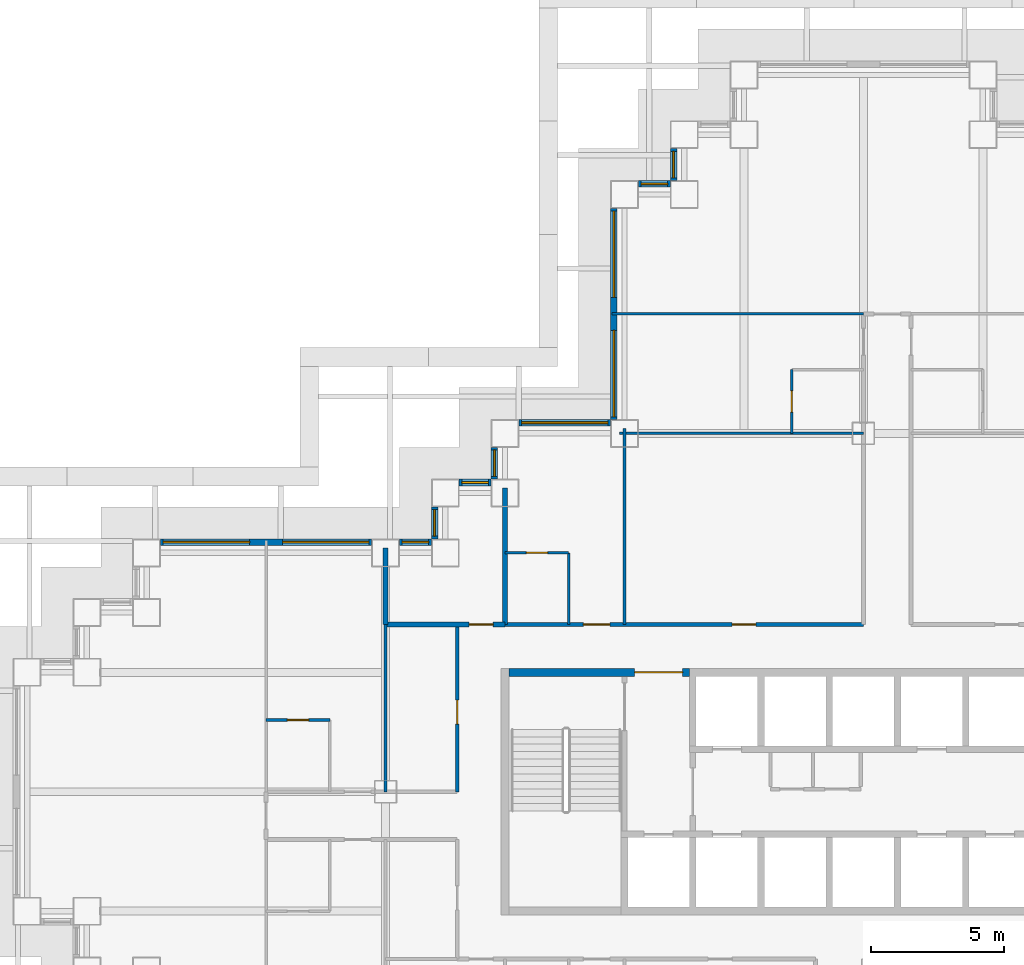
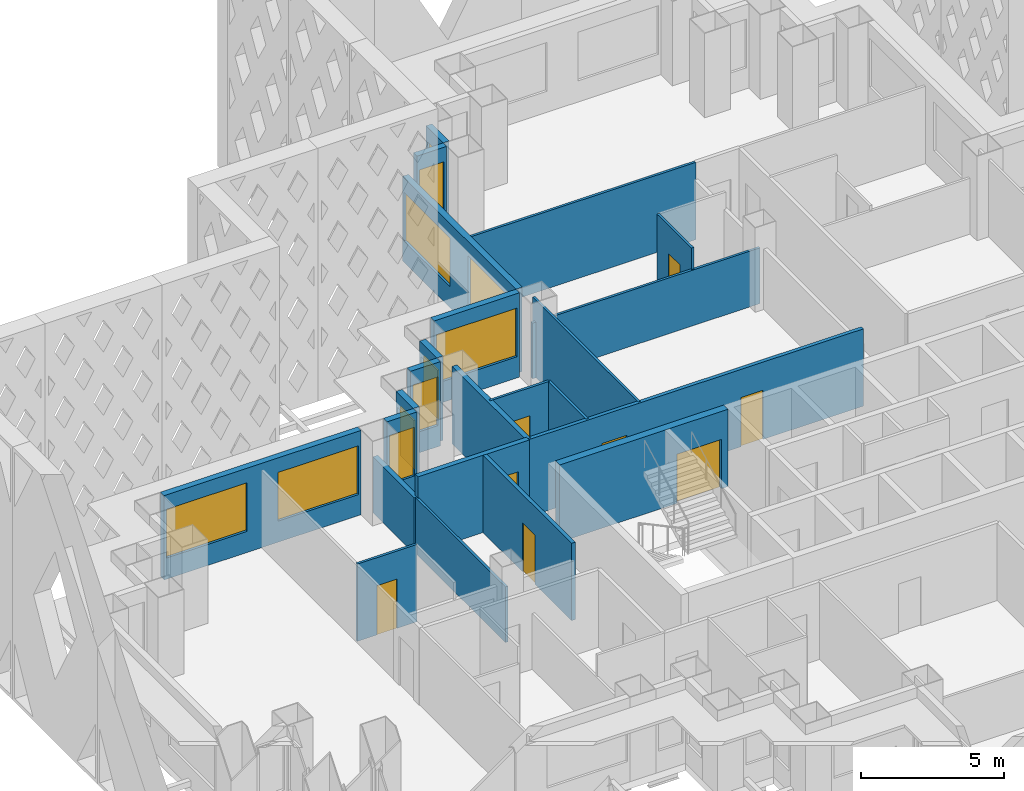
# One storey, part 7 of 19: 23 walls, 11 windows, 8 doors, 19 openings.
"""IFC4 building model written with IfcOpenShell, lengths in metres."""

import ifcopenshell
import ifcopenshell.guid

model = None  # the IFC model being written
_history = None  # IfcOwnerHistory: only IFC2X3 demands one
_inside = {}  # id of a spatial element -> (the spatial element, [elements in it])
_under = {}  # id of a project, library or spatial element -> (it, [spatial elements below it])
_declared = {}  # id of a project -> (the project, [libraries it declares])
_typed = {}  # id of a type object -> (the type object, [elements of that type])
_made_of = {}  # id of a material, layer set ... -> (it, [elements and type objects made of it])


def new_model(schema):
    """Start an empty IFC model of exactly this schema.

    Asked for "IFC4X3", IfcOpenShell would pick the latest addendum, in which some entities
    have other attributes; the version numbers below select the first issue.
    IFC2X3 requires an IfcOwnerHistory on every rooted entity: one is made here for all.
    """
    global model, _history
    if schema == "IFC4X3":
        model = ifcopenshell.file(schema_version=(4, 3, 0, 0))
    else:
        model = ifcopenshell.file(schema=schema)
    _inside.clear()
    _under.clear()
    _declared.clear()
    _typed.clear()
    _made_of.clear()
    _history = None
    if model.schema == "IFC2X3":
        org = make("IfcOrganization", Name="unknown")
        user = make(
            "IfcPersonAndOrganization",
            ThePerson=make("IfcPerson", FamilyName="unknown"),
            TheOrganization=org,
        )
        app = make(
            "IfcApplication",
            ApplicationDeveloper=org,
            Version="unknown",
            ApplicationFullName="unknown",
            ApplicationIdentifier="unknown",
        )
        _history = make(
            "IfcOwnerHistory",
            OwningUser=user,
            OwningApplication=app,
            ChangeAction="ADDED",
            CreationDate=0,
        )
    return model


def make(cls, **values):
    """One entity of the class cls with the attributes given. An attribute that is None is left unset."""
    return model.create_entity(
        cls, **{name: value for name, value in values.items() if value is not None}
    )


def rooted(cls, **values):
    """An entity with a GlobalId (a new one), such as an element, a storey or a relation."""
    return make(cls, GlobalId=ifcopenshell.guid.new(), OwnerHistory=_history, **values)


def si_unit(unit_type, name, prefix=None):
    """IfcSIUnit, for example si_unit("LENGTHUNIT", "METRE", prefix="MILLI")."""
    return make("IfcSIUnit", UnitType=unit_type, Prefix=prefix, Name=name)


def assignment(units):
    """IfcUnitAssignment: the units of a project."""
    return None if units is None else make("IfcUnitAssignment", Units=units)


def point(xyz):
    """IfcCartesianPoint."""
    return None if xyz is None else make("IfcCartesianPoint", Coordinates=xyz)


def direction(xyz):
    """IfcDirection."""
    return None if xyz is None else make("IfcDirection", DirectionRatios=xyz)


def frame(location, z_axis=None, x_axis=None):
    """IfcAxis2Placement3D, a coordinate frame: its origin and axes. An axis left out is left unset."""
    return make(
        "IfcAxis2Placement3D",
        Location=point(location),
        Axis=direction(z_axis),
        RefDirection=direction(x_axis),
    )


def frame_2d(location, x_axis=None):
    """IfcAxis2Placement2D, a coordinate frame in the plane: its origin and x axis."""
    return make(
        "IfcAxis2Placement2D", Location=point(location), RefDirection=direction(x_axis)
    )


def origin():
    """The frame at (0, 0, 0) with its axes left unset."""
    return frame((0.0, 0.0, 0.0))


def place(relative_to, where):
    """IfcLocalPlacement: puts the frame where relative to a parent placement (None: the world)."""
    return make(
        "IfcLocalPlacement", PlacementRelTo=relative_to, RelativePlacement=where
    )


def context(
    kind, dimensions, precision=None, world=None, true_north=None, identifier=None
):
    """IfcGeometricRepresentationContext, for example the 3D "Model" context."""
    return make(
        "IfcGeometricRepresentationContext",
        ContextIdentifier=identifier,
        ContextType=kind,
        CoordinateSpaceDimension=dimensions,
        Precision=precision,
        WorldCoordinateSystem=world,
        TrueNorth=true_north,
    )


def subcontext(parent, identifier, kind, view, scale=None):
    """IfcGeometricRepresentationSubContext, for example "Body" below "Model"."""
    return make(
        "IfcGeometricRepresentationSubContext",
        ContextIdentifier=identifier,
        ContextType=kind,
        ParentContext=parent,
        TargetScale=scale,
        TargetView=view,
    )


def project(units=None, contexts=None):
    """IfcProject with its units and contexts."""
    return rooted(
        "IfcProject",
        Name="project",
        RepresentationContexts=contexts,
        UnitsInContext=assignment(units),
    )


def spatial(cls, under=None, at=None, **own):
    """A site, building, storey or space (cls), placed at a placement, below another one or the project."""
    s = rooted(cls, ObjectPlacement=at, **own)
    if under is not None:
        _under.setdefault(under.id(), (under, []))[1].append(s)
    return s


def profile(cls, at=None, kind="AREA", **sizes):
    """A parametric profile (cls). Its sizes go by their IFC names, for example OverallWidth=200.0."""
    return make(cls, ProfileType=kind, Position=at, **sizes)


def rectangle(**sizes):
    """IfcRectangleProfileDef."""
    return profile("IfcRectangleProfileDef", **sizes)


def extrude(swept, where, along, depth):
    """IfcExtrudedAreaSolid: the profile swept, set in the frame where, extruded along a direction by depth."""
    return make(
        "IfcExtrudedAreaSolid",
        SweptArea=swept,
        Position=where,
        ExtrudedDirection=direction(along),
        Depth=depth,
    )


def shape(context_of_items, identifier, shape_type, items):
    """IfcShapeRepresentation: the items that make up one representation, for example the "Body"."""
    return make(
        "IfcShapeRepresentation",
        ContextOfItems=context_of_items,
        RepresentationIdentifier=identifier,
        RepresentationType=shape_type,
        Items=items,
    )


def material(Name=None, Category=None):
    """IfcMaterial."""
    return make("IfcMaterial", Name=Name, Category=Category)


def layer(
    of_material, thickness, ventilated=None, Name=None, Category=None, Priority=None
):
    """IfcMaterialLayer: one layer of a wall or slab, of a material (None: an air gap)."""
    return make(
        "IfcMaterialLayer",
        Material=of_material,
        LayerThickness=thickness,
        IsVentilated=ventilated,
        Name=Name,
        Category=Category,
        Priority=Priority,
    )


def layer_set(layers, Name=None):
    """IfcMaterialLayerSet."""
    return make("IfcMaterialLayerSet", MaterialLayers=layers, LayerSetName=Name)


def made_of(thing, what):
    """Note that an element or type object is made of a material, layer set ...; save() writes the relation."""
    if what is not None:
        _made_of.setdefault(what.id(), (what, []))[1].append(thing)
    return thing


def type_object(cls, material=None, **own):
    """A type object (cls), such as IfcWallType, which elements share."""
    return made_of(rooted(cls, **own), material)


def element(
    cls,
    number,
    at=None,
    inside=None,
    cuts=None,
    type_object=None,
    material=None,
    context=None,
    identifier="Body",
    shape_type=None,
    held_by="IfcProductDefinitionShape",
    body=None,
    shapes=None,
    **own,
):
    """One element of the class cls, such as IfcWall. Its Tag is "e" and its number.

    at: its placement. inside: the storey or other place that contains it. cuts: it is an
    opening in that element (IfcRelVoidsElement). A single representation is given by context,
    identifier, shape_type and body (its items); several are given by shapes. held_by: the class
    of the entity that holds the representations. save() writes the other relations.
    """
    e = rooted(cls, Tag="e%d" % number, ObjectPlacement=at, **own)
    if body is not None:
        shapes = [shape(context, identifier, shape_type, body)]
    if shapes is not None:
        e.Representation = make(held_by, Representations=shapes)
    if inside is not None:
        _inside.setdefault(inside.id(), (inside, []))[1].append(e)
    if cuts is not None:
        rooted(
            "IfcRelVoidsElement", RelatingBuildingElement=cuts, RelatedOpeningElement=e
        )
    if type_object is not None:
        _typed.setdefault(type_object.id(), (type_object, []))[1].append(e)
    return made_of(e, material)


def fill(opening, filler):
    """IfcRelFillsElement: the door or window that sits in an opening."""
    return rooted(
        "IfcRelFillsElement",
        RelatingOpeningElement=opening,
        RelatedBuildingElement=filler,
    )


def aggregate(whole, parts):
    """IfcRelAggregates: a whole, such as a stair, and the parts it consists of."""
    return rooted("IfcRelAggregates", RelatingObject=whole, RelatedObjects=parts)


def save(model, path):
    """Write the relations noted so far, then the file.

    IfcRelAggregates (storeys below a building ...), IfcRelContainedInSpatialStructure (elements
    in a storey), IfcRelDefinesByType, IfcRelAssociatesMaterial and IfcRelDeclares: one each for
    every whole, place, type object, material and project.
    """
    for whole, parts in _under.values():
        aggregate(whole, parts)
    for where, things in _inside.values():
        rooted(
            "IfcRelContainedInSpatialStructure",
            RelatedElements=things,
            RelatingStructure=where,
        )
    for kind, things in _typed.values():
        rooted("IfcRelDefinesByType", RelatedObjects=things, RelatingType=kind)
    for what, things in _made_of.values():
        rooted("IfcRelAssociatesMaterial", RelatedObjects=things, RelatingMaterial=what)
    for by, libraries in _declared.values():
        rooted("IfcRelDeclares", RelatingContext=by, RelatedDefinitions=libraries)
    model.write(path)


model = new_model("IFC4")

# Units and contexts
model_context = context("Model", 3, precision=1e-05, world=origin(), true_north=direction((0.0, 1.0)))
body_context = subcontext(model_context, "Body", "Model", "MODEL_VIEW")
ifc_project = project(units=[si_unit("LENGTHUNIT", "METRE"), si_unit("AREAUNIT", "SQUARE_METRE"), si_unit("VOLUMEUNIT", "CUBIC_METRE"), si_unit("PLANEANGLEUNIT", "RADIAN"), si_unit("MASSUNIT", "GRAM", prefix="KILO")], contexts=[model_context])

# Site, building, storey
site_placement = place(None, origin())
site = spatial("IfcSite", under=ifc_project, at=site_placement, CompositionType="ELEMENT")
building_placement = place(site_placement, origin())
building = spatial("IfcBuilding", under=site, at=building_placement, Name="Caravel Reach Hotel and Residences", CompositionType="ELEMENT")
storey_placement = place(building_placement, frame((0.0, 0.0, 52.800048828125)))
storey = spatial("IfcBuildingStorey", under=building, at=storey_placement, Name="L11", CompositionType="ELEMENT", Elevation=52.800048828125)

# Wall, opening, door
ifc_material_1 = material(Name="Gypsum board on steel stud", Category="steel")
ifc_layer_1 = layer(ifc_material_1, 0.10009765625)
ifc_layer_set_1 = layer_set([ifc_layer_1], Name="Bathroom pod wall 100 mm")
wall_type_1 = type_object("IfcWallType", Name="Bathroom pod wall 100 mm", PredefinedType="PARTITIONING", material=ifc_layer_set_1)
wall_1_placement = place(storey_placement, frame((9.0, 29.699951171875, 0.0), z_axis=(0.0, 0.0, 1.0), x_axis=(1.0, 0.0, 0.0)))
wall_1 = element("IfcWall", 1, at=wall_1_placement, inside=storey, type_object=wall_type_1, Name="L11 wall w080", PredefinedType="PARTITIONING", context=body_context, shape_type="SweptSolid", body=[
    extrude(rectangle(XDim=2.39990234375, YDim=0.10009765625, at=frame_2d((1.199951171875, 0.0))), origin(), (0.0, 0.0, 1.0), 3.300048828125),
])
opening_1_placement = place(wall_1_placement, frame((0.800048828125, 0.0, 0.0)))
opening_1 = element("IfcOpeningElement", 2, at=opening_1_placement, cuts=wall_1, Name="Opening D11-019", PredefinedType="OPENING", context=body_context, shape_type="SweptSolid", body=[
    extrude(rectangle(XDim=0.800048828125, YDim=2.10009765625, at=frame_2d((0.39990234375, 1.050048828125))), frame((0.0, 0.06005859375, 0.0), z_axis=(0.0, -1.0, 0.0), x_axis=(1.0, 0.0, 0.0)), (0.0, 0.0, 1.0), 0.1201171875),
])
ifc_material_2 = material(Name="Timber and steel door leaf", Category="steel")
door_type_1 = type_object("IfcDoorType", Name="Bathroom door 800 x 2100", OperationType="SINGLE_SWING_LEFT", PredefinedType="DOOR", material=ifc_material_2)
door_1_placement = place(opening_1_placement, origin())
door_1 = element("IfcDoor", 3, at=door_1_placement, inside=storey, type_object=door_type_1, Name="door D11-019", OperationType="SINGLE_SWING_RIGHT", OverallHeight=2.10009765625, OverallWidth=0.800048828125, PredefinedType="DOOR", context=body_context, shape_type="SweptSolid", body=[
    extrude(rectangle(XDim=0.800048828125, YDim=2.10009765625, at=frame_2d((0.39990234375, 1.050048828125))), frame((0.0, 0.02490234375, 0.0), z_axis=(0.0, -1.0, 0.0), x_axis=(1.0, 0.0, 0.0)), (0.0, 0.0, 1.0), 0.050048828125),
])
fill(opening_1, door_1)

wall_2_placement = place(storey_placement, frame((18.0, 36.0, 0.0), z_axis=(0.0, 0.0, 1.0), x_axis=(1.0, 0.0, 0.0)))
wall_2 = element("IfcWall", 4, at=wall_2_placement, inside=storey, type_object=wall_type_1, Name="L11 wall w082", PredefinedType="PARTITIONING", context=body_context, shape_type="SweptSolid", body=[
    extrude(rectangle(XDim=2.39990234375, YDim=0.10009765625, at=frame_2d((1.199951171875, 0.0))), origin(), (0.0, 0.0, 1.0), 3.300048828125),
])
opening_2_placement = place(wall_2_placement, frame((0.800048828125, 0.0, 0.0)))
opening_2 = element("IfcOpeningElement", 5, at=opening_2_placement, cuts=wall_2, Name="Opening D11-043", PredefinedType="OPENING", context=body_context, shape_type="SweptSolid", body=[
    extrude(rectangle(XDim=0.800048828125, YDim=2.10009765625, at=frame_2d((0.39990234375, 1.050048828125))), frame((0.0, 0.06005859375, 0.0), z_axis=(0.0, -1.0, 0.0), x_axis=(1.0, 0.0, 0.0)), (0.0, 0.0, 1.0), 0.1201171875),
])
door_2_placement = place(opening_2_placement, origin())
door_2 = element("IfcDoor", 6, at=door_2_placement, inside=storey, type_object=door_type_1, Name="door D11-043", OperationType="SINGLE_SWING_RIGHT", OverallHeight=2.10009765625, OverallWidth=0.800048828125, PredefinedType="DOOR", context=body_context, shape_type="SweptSolid", body=[
    extrude(rectangle(XDim=0.800048828125, YDim=2.10009765625, at=frame_2d((0.39990234375, 1.050048828125))), frame((0.0, 0.02490234375, 0.0), z_axis=(0.0, -1.0, 0.0), x_axis=(1.0, 0.0, 0.0)), (0.0, 0.0, 1.0), 0.050048828125),
])
fill(opening_2, door_2)

# Wall
wall_3_placement = place(storey_placement, frame((20.39990234375, 33.300048828125, 0.0), z_axis=(0.0, 0.0, 1.0), x_axis=(0.0, 1.0, 0.0)))
element("IfcWall", 7, at=wall_3_placement, inside=storey, type_object=wall_type_1, Name="L11 wall w090", PredefinedType="PARTITIONING", context=body_context, shape_type="SweptSolid", body=[
    extrude(rectangle(XDim=2.699951171875, YDim=0.10009765625, at=frame_2d((1.35009765625, 0.0))), origin(), (0.0, 0.0, 1.0), 3.300048828125),
])

# Wall, opening, door
wall_4_placement = place(storey_placement, frame((28.800048828125, 40.5, 0.0), z_axis=(0.0, 0.0, 1.0), x_axis=(0.0, 1.0, 0.0)))
wall_4 = element("IfcWall", 8, at=wall_4_placement, inside=storey, type_object=wall_type_1, Name="L11 wall w094", PredefinedType="PARTITIONING", context=body_context, shape_type="SweptSolid", body=[
    extrude(rectangle(XDim=2.39990234375, YDim=0.10009765625, at=frame_2d((1.199951171875, 0.0))), origin(), (0.0, 0.0, 1.0), 3.300048828125),
])
opening_3_placement = place(wall_4_placement, frame((0.800048828125, 0.0, 0.0)))
opening_3 = element("IfcOpeningElement", 9, at=opening_3_placement, cuts=wall_4, Name="Opening D11-028", PredefinedType="OPENING", context=body_context, shape_type="SweptSolid", body=[
    extrude(rectangle(XDim=0.800048828125, YDim=2.10009765625, at=frame_2d((0.39990234375, 1.050048828125))), frame((0.0, 0.06005859375, 0.0), z_axis=(0.0, -1.0, 0.0), x_axis=(1.0, 0.0, 0.0)), (0.0, 0.0, 1.0), 0.1201171875),
])
door_3_placement = place(opening_3_placement, origin())
door_3 = element("IfcDoor", 10, at=door_3_placement, inside=storey, type_object=door_type_1, Name="door D11-028", OperationType="SINGLE_SWING_RIGHT", OverallHeight=2.10009765625, OverallWidth=0.800048828125, PredefinedType="DOOR", context=body_context, shape_type="SweptSolid", body=[
    extrude(rectangle(XDim=0.800048828125, YDim=2.10009765625, at=frame_2d((0.39990234375, 1.050048828125))), frame((0.0, 0.02490234375, 0.0), z_axis=(0.0, -1.0, 0.0), x_axis=(1.0, 0.0, 0.0)), (0.0, 0.0, 1.0), 0.050048828125),
])
fill(opening_3, door_3)

ifc_material_3 = material(Name="Autoclaved aerated block wall")
ifc_layer_2 = layer(ifc_material_3, 0.199951171875)
ifc_layer_set_2 = layer_set([ifc_layer_2], Name="Compartment wall 200 mm EI 120")
wall_type_2 = type_object("IfcWallType", Name="Compartment wall 200 mm EI 120", PredefinedType="PARTITIONING", material=ifc_layer_set_2)
wall_5_placement = place(storey_placement, frame((13.5, 33.300048828125, 0.0), z_axis=(0.0, 0.0, 1.0), x_axis=(1.0, 0.0, 0.0)))
wall_5 = element("IfcWall", 11, at=wall_5_placement, inside=storey, type_object=wall_type_2, Name="L11 wall w103", PredefinedType="PARTITIONING", context=body_context, shape_type="SweptSolid", body=[
    extrude(rectangle(XDim=4.5, YDim=0.199951171875, at=frame_2d((2.25, 0.0))), origin(), (0.0, 0.0, 1.0), 3.300048828125),
])
opening_4_placement = place(wall_5_placement, frame((3.14990234375, 0.0, 0.0)))
opening_4 = element("IfcOpeningElement", 12, at=opening_4_placement, cuts=wall_5, Name="Opening D11-044", PredefinedType="OPENING", context=body_context, shape_type="SweptSolid", body=[
    extrude(rectangle(XDim=0.89990234375, YDim=2.10009765625, at=frame_2d((0.449951171875, 1.050048828125))), frame((0.0, 0.10986328125, 0.0), z_axis=(0.0, -1.0, 0.0), x_axis=(1.0, 0.0, 0.0)), (0.0, 0.0, 1.0), 0.219970703125),
])
ifc_material_4 = material(Name="Steel fire door leaf", Category="steel")
door_type_2 = type_object("IfcDoorType", Name="Riser door 900 x 2100 EI 60", OperationType="SINGLE_SWING_LEFT", PredefinedType="DOOR", material=ifc_material_4)
door_4_placement = place(opening_4_placement, origin())
door_4 = element("IfcDoor", 13, at=door_4_placement, inside=storey, type_object=door_type_2, Name="door D11-044", OperationType="SINGLE_SWING_RIGHT", OverallHeight=2.10009765625, OverallWidth=0.89990234375, PredefinedType="DOOR", context=body_context, shape_type="SweptSolid", body=[
    extrude(rectangle(XDim=0.89990234375, YDim=2.10009765625, at=frame_2d((0.449951171875, 1.050048828125))), frame((0.0, 0.02490234375, 0.0), z_axis=(0.0, -1.0, 0.0), x_axis=(1.0, 0.0, 0.0)), (0.0, 0.0, 1.0), 0.050048828125),
])
fill(opening_4, door_4)

# Walls
wall_6_placement = place(storey_placement, frame((13.5, 33.300048828125, 0.0), z_axis=(0.0, 0.0, 1.0), x_axis=(0.0, 1.0, 0.0)))
element("IfcWall", 14, at=wall_6_placement, inside=storey, type_object=wall_type_2, Name="L11 wall w104", PredefinedType="PARTITIONING", context=body_context, shape_type="SweptSolid", body=[
    extrude(rectangle(XDim=2.889892578125, YDim=0.199951171875, at=frame_2d((1.44482421875, 0.0))), origin(), (0.0, 0.0, 1.0), 2.3798828125),
])
wall_7_placement = place(storey_placement, frame((18.0, 33.300048828125, 0.0), z_axis=(0.0, 0.0, 1.0), x_axis=(0.0, 1.0, 0.0)))
element("IfcWall", 15, at=wall_7_placement, inside=storey, type_object=wall_type_2, Name="L11 wall w105", PredefinedType="PARTITIONING", context=body_context, shape_type="SweptSolid", body=[
    extrude(rectangle(XDim=5.139892578125, YDim=0.199951171875, at=frame_2d((2.56982421875, 0.0))), origin(), (0.0, 0.0, 1.0), 3.300048828125),
])

# Wall, opening, door
ifc_material_5 = material(Name="Concrete C60", Category="concrete")
ifc_layer_3 = layer(ifc_material_5, 0.300048828125)
ifc_layer_set_3 = layer_set([ifc_layer_3], Name="Core wall 300 mm EI 120")
wall_type_3 = type_object("IfcWallType", Name="Core wall 300 mm EI 120", PredefinedType="SHEAR", material=ifc_layer_set_3)
wall_8_placement = place(storey_placement, frame((18.14990234375, 31.5, 0.0), z_axis=(0.0, 0.0, 1.0), x_axis=(1.0, 0.0, 0.0)))
wall_8 = element("IfcWall", 16, at=wall_8_placement, inside=storey, type_object=wall_type_3, Name="L11 core wall N1", PredefinedType="SHEAR", context=body_context, shape_type="SweptSolid", body=[
    extrude(rectangle(XDim=6.796630859375, YDim=0.300048828125, at=frame_2d((3.3984375, 0.0))), origin(), (0.0, 0.0, 1.0), 3.300048828125),
])
opening_5_placement = place(wall_8_placement, frame((4.735595703125, 0.0, 0.0)))
opening_5 = element("IfcOpeningElement", 17, at=opening_5_placement, cuts=wall_8, Name="Opening D11-014", PredefinedType="OPENING", context=body_context, shape_type="SweptSolid", body=[
    extrude(rectangle(XDim=1.800048828125, YDim=2.10009765625, at=frame_2d((0.89990234375, 1.050048828125))), frame((0.0, 0.159912109375, 0.0), z_axis=(0.0, -1.0, 0.0), x_axis=(1.0, 0.0, 0.0)), (0.0, 0.0, 1.0), 0.320068359375),
])
ifc_material_6 = material(Name="Steel fire door leaf", Category="steel")
door_type_3 = type_object("IfcDoorType", Name="Fire lobby door pair 1800 x 2100 EI 90", OperationType="DOUBLE_DOOR_SINGLE_SWING", PredefinedType="DOOR", material=ifc_material_6)
door_5_placement = place(opening_5_placement, origin())
door_5 = element("IfcDoor", 18, at=door_5_placement, inside=storey, type_object=door_type_3, Name="lobby N door pair to corridor", OperationType="DOUBLE_DOOR_SINGLE_SWING", OverallHeight=2.10009765625, OverallWidth=1.800048828125, PredefinedType="DOOR", context=body_context, shape_type="SweptSolid", body=[
    extrude(rectangle(XDim=1.800048828125, YDim=2.10009765625, at=frame_2d((0.89990234375, 1.050048828125))), frame((0.0, 0.02490234375, 0.0), z_axis=(0.0, -1.0, 0.0), x_axis=(1.0, 0.0, 0.0)), (0.0, 0.0, 1.0), 0.050048828125),
])
fill(opening_5, door_5)

# Wall, openings, doors
ifc_material_7 = material(Name="Gypsum board on steel stud, fire-rated", Category="steel")
ifc_layer_4 = layer(ifc_material_7, 0.14990234375)
ifc_layer_set_4 = layer_set([ifc_layer_4], Name="Corridor wall 150 mm EI 60")
wall_type_4 = type_object("IfcWallType", Name="Corridor wall 150 mm EI 60", PredefinedType="PARTITIONING", material=ifc_layer_set_4)
wall_9_placement = place(storey_placement, frame((18.0, 33.300048828125, 0.0), z_axis=(0.0, 0.0, 1.0), x_axis=(1.0, 0.0, 0.0)))
wall_9 = element("IfcWall", 19, at=wall_9_placement, inside=storey, type_object=wall_type_4, Name="L11 wall w018", PredefinedType="PARTITIONING", context=body_context, shape_type="SweptSolid", body=[
    extrude(rectangle(XDim=13.5, YDim=0.14990234375, at=frame_2d((6.75, 0.0))), origin(), (0.0, 0.0, 1.0), 3.300048828125),
])
opening_6_placement = place(wall_9_placement, frame((2.949951171875, 0.0, 0.0)))
opening_6 = element("IfcOpeningElement", 20, at=opening_6_placement, cuts=wall_9, Name="Opening D11-042", PredefinedType="OPENING", context=body_context, shape_type="SweptSolid", body=[
    extrude(rectangle(XDim=1.0, YDim=2.10009765625, at=frame_2d((0.5, 1.050048828125))), frame((0.0, 0.0849609375, 0.0), z_axis=(0.0, -1.0, 0.0), x_axis=(1.0, 0.0, 0.0)), (0.0, 0.0, 1.0), 0.169921875),
])
opening_7_placement = place(wall_9_placement, frame((8.550048828125, 0.0, 0.0)))
opening_7 = element("IfcOpeningElement", 21, at=opening_7_placement, cuts=wall_9, Name="Opening D11-053", PredefinedType="OPENING", context=body_context, shape_type="SweptSolid", body=[
    extrude(rectangle(XDim=0.89990234375, YDim=2.10009765625, at=frame_2d((0.449951171875, 1.050048828125))), frame((0.0, 0.0849609375, 0.0), z_axis=(0.0, -1.0, 0.0), x_axis=(1.0, 0.0, 0.0)), (0.0, 0.0, 1.0), 0.169921875),
])
ifc_material_8 = material(Name="Timber and steel door leaf", Category="steel")
door_type_4 = type_object("IfcDoorType", Name="Door 900 x 2100 timber", OperationType="SINGLE_SWING_LEFT", PredefinedType="DOOR", material=ifc_material_8)
door_6_placement = place(opening_7_placement, origin())
door_6 = element("IfcDoor", 22, at=door_6_placement, inside=storey, type_object=door_type_4, Name="door D11-053", OperationType="SINGLE_SWING_RIGHT", OverallHeight=2.10009765625, OverallWidth=0.89990234375, PredefinedType="DOOR", context=body_context, shape_type="SweptSolid", body=[
    extrude(rectangle(XDim=0.89990234375, YDim=2.10009765625, at=frame_2d((0.449951171875, 1.050048828125))), frame((0.0, 0.02490234375, 0.0), z_axis=(0.0, -1.0, 0.0), x_axis=(1.0, 0.0, 0.0)), (0.0, 0.0, 1.0), 0.050048828125),
])
fill(opening_7, door_6)
ifc_material_9 = material(Name="Steel fire door leaf", Category="steel")
door_type_5 = type_object("IfcDoorType", Name="Guest room door 1000 x 2100 EI 30", OperationType="SINGLE_SWING_LEFT", PredefinedType="DOOR", material=ifc_material_9)
door_7_placement = place(opening_6_placement, origin())
door_7 = element("IfcDoor", 23, at=door_7_placement, inside=storey, type_object=door_type_5, Name="door D11-042", OperationType="SINGLE_SWING_RIGHT", OverallHeight=2.10009765625, OverallWidth=1.0, PredefinedType="DOOR", context=body_context, shape_type="SweptSolid", body=[
    extrude(rectangle(XDim=1.0, YDim=2.10009765625, at=frame_2d((0.5, 1.050048828125))), frame((0.0, 0.02490234375, 0.0), z_axis=(0.0, -1.0, 0.0), x_axis=(1.0, 0.0, 0.0)), (0.0, 0.0, 1.0), 0.050048828125),
])
fill(opening_6, door_7)

# Wall, opening, door
wall_10_placement = place(storey_placement, frame((16.199951171875, 27.0, 0.0), z_axis=(0.0, 0.0, 1.0), x_axis=(0.0, 1.0, 0.0)))
wall_10 = element("IfcWall", 24, at=wall_10_placement, inside=storey, type_object=wall_type_4, Name="L11 wall w024", PredefinedType="PARTITIONING", context=body_context, shape_type="SweptSolid", body=[
    extrude(rectangle(XDim=6.300048828125, YDim=0.14990234375, at=frame_2d((3.14990234375, 0.0))), origin(), (0.0, 0.0, 1.0), 3.300048828125),
])
opening_8_placement = place(wall_10_placement, frame((2.550048828125, 0.0, 0.0)))
opening_8 = element("IfcOpeningElement", 25, at=opening_8_placement, cuts=wall_10, Name="Opening D11-059", PredefinedType="OPENING", context=body_context, shape_type="SweptSolid", body=[
    extrude(rectangle(XDim=0.89990234375, YDim=2.10009765625, at=frame_2d((0.449951171875, 1.050048828125))), frame((0.0, 0.0849609375, 0.0), z_axis=(0.0, -1.0, 0.0), x_axis=(1.0, 0.0, 0.0)), (0.0, 0.0, 1.0), 0.169921875),
])
door_8_placement = place(opening_8_placement, origin())
door_8 = element("IfcDoor", 26, at=door_8_placement, inside=storey, type_object=door_type_4, Name="door D11-059", OperationType="SINGLE_SWING_LEFT", OverallHeight=2.10009765625, OverallWidth=0.89990234375, PredefinedType="DOOR", context=body_context, shape_type="SweptSolid", body=[
    extrude(rectangle(XDim=0.89990234375, YDim=2.10009765625, at=frame_2d((0.449951171875, 1.050048828125))), frame((0.0, 0.02490234375, 0.0), z_axis=(0.0, -1.0, 0.0), x_axis=(1.0, 0.0, 0.0)), (0.0, 0.0, 1.0), 0.050048828125),
])
fill(opening_8, door_8)

# Wall, opening, window
ifc_material_10 = material(Name="Insulated rainscreen wall, aluminium cladding", Category="aluminium")
ifc_layer_5 = layer(ifc_material_10, 0.25)
ifc_layer_set_5 = layer_set([ifc_layer_5], Name="EW1 Tower rainscreen wall")
wall_type_5 = type_object("IfcWallType", Name="EW1 Tower rainscreen wall", PredefinedType="SOLIDWALL", material=ifc_layer_set_5)
wall_11_placement = place(storey_placement, frame((24.35009765625, 51.22509765625, 0.0), z_axis=(0.0, 0.0, 1.0), x_axis=(0.0, -1.0, 0.0)))
wall_11 = element("IfcWall", 27, at=wall_11_placement, inside=storey, type_object=wall_type_5, Name="External wall L11 W38.1", PredefinedType="SOLIDWALL", context=body_context, shape_type="SweptSolid", body=[
    extrude(rectangle(XDim=1.2001953125, YDim=0.25, at=frame_2d((0.60009765625, 0.0))), origin(), (0.0, 0.0, 1.0), 3.599853515625),
])
opening_9_placement = place(wall_11_placement, frame((0.10009765625, 0.0, 0.89990234375)))
opening_9 = element("IfcOpeningElement", 28, at=opening_9_placement, cuts=wall_11, Name="Opening WN1", PredefinedType="OPENING", context=body_context, shape_type="SweptSolid", body=[
    extrude(rectangle(XDim=1.0, YDim=2.080078125, at=frame_2d((0.5, 1.0400390625))), frame((0.0, 0.135009765625, 0.0), z_axis=(0.0, -1.0, 0.0), x_axis=(1.0, 0.0, 0.0)), (0.0, 0.0, 1.0), 0.27001953125),
])
ifc_material_11 = material(Name="Dark low-e glazing in black aluminium frame", Category="aluminium")
window_type_1 = type_object("IfcWindowType", Name="Hotel suite corner window 1000 x 2080", PartitioningType="SINGLE_PANEL", PredefinedType="WINDOW", material=ifc_material_11)
window_1_placement = place(opening_9_placement, origin())
window_1 = element("IfcWindow", 29, at=window_1_placement, inside=storey, type_object=window_type_1, Name="Window L11 W38.1.1", OverallHeight=2.080078125, OverallWidth=1.0, PartitioningType="SINGLE_PANEL", PredefinedType="WINDOW", context=body_context, shape_type="SweptSolid", body=[
    extrude(rectangle(XDim=1.0, YDim=2.080078125, at=frame_2d((0.5, 1.0400390625))), frame((0.0, 0.030029296875, 0.0), z_axis=(0.0, -1.0, 0.0), x_axis=(1.0, 0.0, 0.0)), (0.0, 0.0, 1.0), 0.06005859375),
])
fill(opening_9, window_1)

wall_12_placement = place(storey_placement, frame((24.22509765625, 49.89990234375, 0.0), z_axis=(0.0, 0.0, 1.0), x_axis=(-1.0, 0.0, 0.0)))
wall_12 = element("IfcWall", 30, at=wall_12_placement, inside=storey, type_object=wall_type_5, Name="External wall L11 N39.1", PredefinedType="SOLIDWALL", context=body_context, shape_type="SweptSolid", body=[
    extrude(rectangle(XDim=1.2001953125, YDim=0.25, at=frame_2d((0.60009765625, 0.0))), origin(), (0.0, 0.0, 1.0), 3.599853515625),
])
opening_10_placement = place(wall_12_placement, frame((0.10009765625, 0.0, 0.89990234375)))
opening_10 = element("IfcOpeningElement", 31, at=opening_10_placement, cuts=wall_12, Name="Opening WN1", PredefinedType="OPENING", context=body_context, shape_type="SweptSolid", body=[
    extrude(rectangle(XDim=1.0, YDim=2.080078125, at=frame_2d((0.5, 1.0400390625))), frame((0.0, 0.135009765625, 0.0), z_axis=(0.0, -1.0, 0.0), x_axis=(1.0, 0.0, 0.0)), (0.0, 0.0, 1.0), 0.27001953125),
])
window_2_placement = place(opening_10_placement, origin())
window_2 = element("IfcWindow", 32, at=window_2_placement, inside=storey, type_object=window_type_1, Name="Window L11 N39.1.1", OverallHeight=2.080078125, OverallWidth=1.0, PartitioningType="SINGLE_PANEL", PredefinedType="WINDOW", context=body_context, shape_type="SweptSolid", body=[
    extrude(rectangle(XDim=1.0, YDim=2.080078125, at=frame_2d((0.5, 1.0400390625))), frame((0.0, 0.030029296875, 0.0), z_axis=(0.0, -1.0, 0.0), x_axis=(1.0, 0.0, 0.0)), (0.0, 0.0, 1.0), 0.06005859375),
])
fill(opening_10, window_2)

# Wall, openings, windows
wall_13_placement = place(storey_placement, frame((22.10009765625, 48.97509765625, 0.0), z_axis=(0.0, 0.0, 1.0), x_axis=(0.0, -1.0, 0.0)))
wall_13 = element("IfcWall", 33, at=wall_13_placement, inside=storey, type_object=wall_type_5, Name="External wall L11 W40.1", PredefinedType="SOLIDWALL", context=body_context, shape_type="SweptSolid", body=[
    extrude(rectangle(XDim=7.9501953125, YDim=0.25, at=frame_2d((3.97509765625, 0.0))), origin(), (0.0, 0.0, 1.0), 3.599853515625),
])
opening_11_placement = place(wall_13_placement, frame((0.10009765625, 0.0, 0.89990234375)))
opening_11 = element("IfcOpeningElement", 34, at=opening_11_placement, cuts=wall_13, Name="Opening WN2", PredefinedType="OPENING", context=body_context, shape_type="SweptSolid", body=[
    extrude(rectangle(XDim=3.25, YDim=2.080078125, at=frame_2d((1.625, 1.0400390625))), frame((0.0, 0.135009765625, 0.0), z_axis=(0.0, -1.0, 0.0), x_axis=(1.0, 0.0, 0.0)), (0.0, 0.0, 1.0), 0.27001953125),
])
opening_12_placement = place(wall_13_placement, frame((4.60009765625, 0.0, 0.89990234375)))
opening_12 = element("IfcOpeningElement", 35, at=opening_12_placement, cuts=wall_13, Name="Opening WN2", PredefinedType="OPENING", context=body_context, shape_type="SweptSolid", body=[
    extrude(rectangle(XDim=3.25, YDim=2.080078125, at=frame_2d((1.625, 1.0400390625))), frame((0.0, 0.135009765625, 0.0), z_axis=(0.0, -1.0, 0.0), x_axis=(1.0, 0.0, 0.0)), (0.0, 0.0, 1.0), 0.27001953125),
])
ifc_material_12 = material(Name="Dark low-e glazing in black aluminium frame", Category="aluminium")
window_type_2 = type_object("IfcWindowType", Name="Hotel guest room window 3250 x 2080", PartitioningType="SINGLE_PANEL", PredefinedType="WINDOW", material=ifc_material_12)
window_3_placement = place(opening_11_placement, origin())
window_3 = element("IfcWindow", 36, at=window_3_placement, inside=storey, type_object=window_type_2, Name="Window L11 W40.1.1", OverallHeight=2.080078125, OverallWidth=3.25, PartitioningType="SINGLE_PANEL", PredefinedType="WINDOW", context=body_context, shape_type="SweptSolid", body=[
    extrude(rectangle(XDim=3.25, YDim=2.080078125, at=frame_2d((1.625, 1.0400390625))), frame((0.0, 0.030029296875, 0.0), z_axis=(0.0, -1.0, 0.0), x_axis=(1.0, 0.0, 0.0)), (0.0, 0.0, 1.0), 0.06005859375),
])
fill(opening_11, window_3)
window_4_placement = place(opening_12_placement, origin())
window_4 = element("IfcWindow", 37, at=window_4_placement, inside=storey, type_object=window_type_2, Name="Window L11 W40.1.2", OverallHeight=2.080078125, OverallWidth=3.25, PartitioningType="SINGLE_PANEL", PredefinedType="WINDOW", context=body_context, shape_type="SweptSolid", body=[
    extrude(rectangle(XDim=3.25, YDim=2.080078125, at=frame_2d((1.625, 1.0400390625))), frame((0.0, 0.030029296875, 0.0), z_axis=(0.0, -1.0, 0.0), x_axis=(1.0, 0.0, 0.0)), (0.0, 0.0, 1.0), 0.06005859375),
])
fill(opening_12, window_4)

# Wall, opening, window
wall_14_placement = place(storey_placement, frame((21.97509765625, 40.89990234375, 0.0), z_axis=(0.0, 0.0, 1.0), x_axis=(-1.0, 0.0, 0.0)))
wall_14 = element("IfcWall", 38, at=wall_14_placement, inside=storey, type_object=wall_type_5, Name="External wall L11 N41.1", PredefinedType="SOLIDWALL", context=body_context, shape_type="SweptSolid", body=[
    extrude(rectangle(XDim=3.4501953125, YDim=0.25, at=frame_2d((1.72509765625, 0.0))), origin(), (0.0, 0.0, 1.0), 3.599853515625),
])
opening_13_placement = place(wall_14_placement, frame((0.10009765625, 0.0, 0.89990234375)))
opening_13 = element("IfcOpeningElement", 39, at=opening_13_placement, cuts=wall_14, Name="Opening WN2", PredefinedType="OPENING", context=body_context, shape_type="SweptSolid", body=[
    extrude(rectangle(XDim=3.25, YDim=2.080078125, at=frame_2d((1.625, 1.0400390625))), frame((0.0, 0.135009765625, 0.0), z_axis=(0.0, -1.0, 0.0), x_axis=(1.0, 0.0, 0.0)), (0.0, 0.0, 1.0), 0.27001953125),
])
window_5_placement = place(opening_13_placement, origin())
window_5 = element("IfcWindow", 40, at=window_5_placement, inside=storey, type_object=window_type_2, Name="Window L11 N41.1.1", OverallHeight=2.080078125, OverallWidth=3.25, PartitioningType="SINGLE_PANEL", PredefinedType="WINDOW", context=body_context, shape_type="SweptSolid", body=[
    extrude(rectangle(XDim=3.25, YDim=2.080078125, at=frame_2d((1.625, 1.0400390625))), frame((0.0, 0.030029296875, 0.0), z_axis=(0.0, -1.0, 0.0), x_axis=(1.0, 0.0, 0.0)), (0.0, 0.0, 1.0), 0.06005859375),
])
fill(opening_13, window_5)

wall_15_placement = place(storey_placement, frame((17.60009765625, 39.97509765625, 0.0), z_axis=(0.0, 0.0, 1.0), x_axis=(0.0, -1.0, 0.0)))
wall_15 = element("IfcWall", 41, at=wall_15_placement, inside=storey, type_object=wall_type_5, Name="External wall L11 W42.1", PredefinedType="SOLIDWALL", context=body_context, shape_type="SweptSolid", body=[
    extrude(rectangle(XDim=1.2001953125, YDim=0.25, at=frame_2d((0.60009765625, 0.0))), origin(), (0.0, 0.0, 1.0), 3.599853515625),
])
opening_14_placement = place(wall_15_placement, frame((0.10009765625, 0.0, 0.89990234375)))
opening_14 = element("IfcOpeningElement", 42, at=opening_14_placement, cuts=wall_15, Name="Opening WN1", PredefinedType="OPENING", context=body_context, shape_type="SweptSolid", body=[
    extrude(rectangle(XDim=1.0, YDim=2.080078125, at=frame_2d((0.5, 1.0400390625))), frame((0.0, 0.135009765625, 0.0), z_axis=(0.0, -1.0, 0.0), x_axis=(1.0, 0.0, 0.0)), (0.0, 0.0, 1.0), 0.27001953125),
])
window_6_placement = place(opening_14_placement, origin())
window_6 = element("IfcWindow", 43, at=window_6_placement, inside=storey, type_object=window_type_1, Name="Window L11 W42.1.1", OverallHeight=2.080078125, OverallWidth=1.0, PartitioningType="SINGLE_PANEL", PredefinedType="WINDOW", context=body_context, shape_type="SweptSolid", body=[
    extrude(rectangle(XDim=1.0, YDim=2.080078125, at=frame_2d((0.5, 1.0400390625))), frame((0.0, 0.030029296875, 0.0), z_axis=(0.0, -1.0, 0.0), x_axis=(1.0, 0.0, 0.0)), (0.0, 0.0, 1.0), 0.06005859375),
])
fill(opening_14, window_6)

wall_16_placement = place(storey_placement, frame((17.47509765625, 38.64990234375, 0.0), z_axis=(0.0, 0.0, 1.0), x_axis=(-1.0, 0.0, 0.0)))
wall_16 = element("IfcWall", 44, at=wall_16_placement, inside=storey, type_object=wall_type_5, Name="External wall L11 N43.1", PredefinedType="SOLIDWALL", context=body_context, shape_type="SweptSolid", body=[
    extrude(rectangle(XDim=1.2001953125, YDim=0.25, at=frame_2d((0.60009765625, 0.0))), origin(), (0.0, 0.0, 1.0), 3.599853515625),
])
opening_15_placement = place(wall_16_placement, frame((0.10009765625, 0.0, 0.89990234375)))
opening_15 = element("IfcOpeningElement", 45, at=opening_15_placement, cuts=wall_16, Name="Opening WN1", PredefinedType="OPENING", context=body_context, shape_type="SweptSolid", body=[
    extrude(rectangle(XDim=1.0, YDim=2.080078125, at=frame_2d((0.5, 1.0400390625))), frame((0.0, 0.135009765625, 0.0), z_axis=(0.0, -1.0, 0.0), x_axis=(1.0, 0.0, 0.0)), (0.0, 0.0, 1.0), 0.27001953125),
])
window_7_placement = place(opening_15_placement, origin())
window_7 = element("IfcWindow", 46, at=window_7_placement, inside=storey, type_object=window_type_1, Name="Window L11 N43.1.1", OverallHeight=2.080078125, OverallWidth=1.0, PartitioningType="SINGLE_PANEL", PredefinedType="WINDOW", context=body_context, shape_type="SweptSolid", body=[
    extrude(rectangle(XDim=1.0, YDim=2.080078125, at=frame_2d((0.5, 1.0400390625))), frame((0.0, 0.030029296875, 0.0), z_axis=(0.0, -1.0, 0.0), x_axis=(1.0, 0.0, 0.0)), (0.0, 0.0, 1.0), 0.06005859375),
])
fill(opening_15, window_7)

wall_17_placement = place(storey_placement, frame((15.35009765625, 37.72509765625, 0.0), z_axis=(0.0, 0.0, 1.0), x_axis=(0.0, -1.0, 0.0)))
wall_17 = element("IfcWall", 47, at=wall_17_placement, inside=storey, type_object=wall_type_5, Name="External wall L11 W44.1", PredefinedType="SOLIDWALL", context=body_context, shape_type="SweptSolid", body=[
    extrude(rectangle(XDim=1.2001953125, YDim=0.25, at=frame_2d((0.60009765625, 0.0))), origin(), (0.0, 0.0, 1.0), 3.599853515625),
])
opening_16_placement = place(wall_17_placement, frame((0.10009765625, 0.0, 0.89990234375)))
opening_16 = element("IfcOpeningElement", 48, at=opening_16_placement, cuts=wall_17, Name="Opening WN1", PredefinedType="OPENING", context=body_context, shape_type="SweptSolid", body=[
    extrude(rectangle(XDim=1.0, YDim=2.080078125, at=frame_2d((0.5, 1.0400390625))), frame((0.0, 0.135009765625, 0.0), z_axis=(0.0, -1.0, 0.0), x_axis=(1.0, 0.0, 0.0)), (0.0, 0.0, 1.0), 0.27001953125),
])
window_8_placement = place(opening_16_placement, origin())
window_8 = element("IfcWindow", 49, at=window_8_placement, inside=storey, type_object=window_type_1, Name="Window L11 W44.1.1", OverallHeight=2.080078125, OverallWidth=1.0, PartitioningType="SINGLE_PANEL", PredefinedType="WINDOW", context=body_context, shape_type="SweptSolid", body=[
    extrude(rectangle(XDim=1.0, YDim=2.080078125, at=frame_2d((0.5, 1.0400390625))), frame((0.0, 0.030029296875, 0.0), z_axis=(0.0, -1.0, 0.0), x_axis=(1.0, 0.0, 0.0)), (0.0, 0.0, 1.0), 0.06005859375),
])
fill(opening_16, window_8)

wall_18_placement = place(storey_placement, frame((15.22509765625, 36.39990234375, 0.0), z_axis=(0.0, 0.0, 1.0), x_axis=(-1.0, 0.0, 0.0)))
wall_18 = element("IfcWall", 50, at=wall_18_placement, inside=storey, type_object=wall_type_5, Name="External wall L11 N45.1", PredefinedType="SOLIDWALL", context=body_context, shape_type="SweptSolid", body=[
    extrude(rectangle(XDim=1.2001953125, YDim=0.25, at=frame_2d((0.60009765625, 0.0))), origin(), (0.0, 0.0, 1.0), 3.599853515625),
])
opening_17_placement = place(wall_18_placement, frame((0.10009765625, 0.0, 0.89990234375)))
opening_17 = element("IfcOpeningElement", 51, at=opening_17_placement, cuts=wall_18, Name="Opening WN1", PredefinedType="OPENING", context=body_context, shape_type="SweptSolid", body=[
    extrude(rectangle(XDim=1.0, YDim=2.080078125, at=frame_2d((0.5, 1.0400390625))), frame((0.0, 0.135009765625, 0.0), z_axis=(0.0, -1.0, 0.0), x_axis=(1.0, 0.0, 0.0)), (0.0, 0.0, 1.0), 0.27001953125),
])
window_9_placement = place(opening_17_placement, origin())
window_9 = element("IfcWindow", 52, at=window_9_placement, inside=storey, type_object=window_type_1, Name="Window L11 N45.1.1", OverallHeight=2.080078125, OverallWidth=1.0, PartitioningType="SINGLE_PANEL", PredefinedType="WINDOW", context=body_context, shape_type="SweptSolid", body=[
    extrude(rectangle(XDim=1.0, YDim=2.080078125, at=frame_2d((0.5, 1.0400390625))), frame((0.0, 0.030029296875, 0.0), z_axis=(0.0, -1.0, 0.0), x_axis=(1.0, 0.0, 0.0)), (0.0, 0.0, 1.0), 0.06005859375),
])
fill(opening_17, window_9)

# Wall, openings, windows
wall_19_placement = place(storey_placement, frame((12.97509765625, 36.39990234375, 0.0), z_axis=(0.0, 0.0, 1.0), x_axis=(-1.0, 0.0, 0.0)))
wall_19 = element("IfcWall", 53, at=wall_19_placement, inside=storey, type_object=wall_type_5, Name="External wall L11 N45.2", PredefinedType="SOLIDWALL", context=body_context, shape_type="SweptSolid", body=[
    extrude(rectangle(XDim=7.9501953125, YDim=0.25, at=frame_2d((3.97509765625, 0.0))), origin(), (0.0, 0.0, 1.0), 3.599853515625),
])
opening_18_placement = place(wall_19_placement, frame((0.10009765625, 0.0, 0.89990234375)))
opening_18 = element("IfcOpeningElement", 54, at=opening_18_placement, cuts=wall_19, Name="Opening WN2", PredefinedType="OPENING", context=body_context, shape_type="SweptSolid", body=[
    extrude(rectangle(XDim=3.25, YDim=2.080078125, at=frame_2d((1.625, 1.0400390625))), frame((0.0, 0.135009765625, 0.0), z_axis=(0.0, -1.0, 0.0), x_axis=(1.0, 0.0, 0.0)), (0.0, 0.0, 1.0), 0.27001953125),
])
opening_19_placement = place(wall_19_placement, frame((4.60009765625, 0.0, 0.89990234375)))
opening_19 = element("IfcOpeningElement", 55, at=opening_19_placement, cuts=wall_19, Name="Opening WN2", PredefinedType="OPENING", context=body_context, shape_type="SweptSolid", body=[
    extrude(rectangle(XDim=3.25, YDim=2.080078125, at=frame_2d((1.625, 1.0400390625))), frame((0.0, 0.135009765625, 0.0), z_axis=(0.0, -1.0, 0.0), x_axis=(1.0, 0.0, 0.0)), (0.0, 0.0, 1.0), 0.27001953125),
])
window_10_placement = place(opening_18_placement, origin())
window_10 = element("IfcWindow", 56, at=window_10_placement, inside=storey, type_object=window_type_2, Name="Window L11 N45.2.1", OverallHeight=2.080078125, OverallWidth=3.25, PartitioningType="SINGLE_PANEL", PredefinedType="WINDOW", context=body_context, shape_type="SweptSolid", body=[
    extrude(rectangle(XDim=3.25, YDim=2.080078125, at=frame_2d((1.625, 1.0400390625))), frame((0.0, 0.030029296875, 0.0), z_axis=(0.0, -1.0, 0.0), x_axis=(1.0, 0.0, 0.0)), (0.0, 0.0, 1.0), 0.06005859375),
])
fill(opening_18, window_10)
window_11_placement = place(opening_19_placement, origin())
window_11 = element("IfcWindow", 57, at=window_11_placement, inside=storey, type_object=window_type_2, Name="Window L11 N45.2.2", OverallHeight=2.080078125, OverallWidth=3.25, PartitioningType="SINGLE_PANEL", PredefinedType="WINDOW", context=body_context, shape_type="SweptSolid", body=[
    extrude(rectangle(XDim=3.25, YDim=2.080078125, at=frame_2d((1.625, 1.0400390625))), frame((0.0, 0.030029296875, 0.0), z_axis=(0.0, -1.0, 0.0), x_axis=(1.0, 0.0, 0.0)), (0.0, 0.0, 1.0), 0.06005859375),
])
fill(opening_19, window_11)

# Walls
ifc_material_13 = material(Name="Gypsum board on steel stud", Category="steel")
ifc_layer_6 = layer(ifc_material_13, 0.10009765625)
ifc_layer_set_6 = layer_set([ifc_layer_6], Name="Partition 100 mm")
wall_type_6 = type_object("IfcWallType", Name="Partition 100 mm", PredefinedType="PARTITIONING", material=ifc_layer_set_6)
wall_20_placement = place(storey_placement, frame((22.31005859375, 40.5, 0.0), z_axis=(0.0, 0.0, 1.0), x_axis=(1.0, 0.0, 0.0)))
element("IfcWall", 58, at=wall_20_placement, inside=storey, type_object=wall_type_6, Name="L11 wall w049", PredefinedType="PARTITIONING", context=body_context, shape_type="SweptSolid", body=[
    extrude(rectangle(XDim=9.18994140625, YDim=0.10009765625, at=frame_2d((4.594970703125, 0.0))), origin(), (0.0, 0.0, 1.0), 2.3798828125),
])
wall_21_placement = place(storey_placement, frame((22.034912109375, 45.0, 0.0), z_axis=(0.0, 0.0, 1.0), x_axis=(1.0, 0.0, 0.0)))
element("IfcWall", 59, at=wall_21_placement, inside=storey, type_object=wall_type_6, Name="L11 wall w051", PredefinedType="PARTITIONING", context=body_context, shape_type="SweptSolid", body=[
    extrude(rectangle(XDim=9.465087890625, YDim=0.10009765625, at=frame_2d((4.732421875, 0.0))), origin(), (0.0, 0.0, 1.0), 3.300048828125),
])
wall_22_placement = place(storey_placement, frame((13.5, 27.0, 0.0), z_axis=(0.0, 0.0, 1.0), x_axis=(0.0, 1.0, 0.0)))
element("IfcWall", 60, at=wall_22_placement, inside=storey, type_object=wall_type_6, Name="L11 wall w053", PredefinedType="PARTITIONING", context=body_context, shape_type="SweptSolid", body=[
    extrude(rectangle(XDim=6.300048828125, YDim=0.10009765625, at=frame_2d((3.14990234375, 0.0))), origin(), (0.0, 0.0, 1.0), 2.3798828125),
])
wall_23_placement = place(storey_placement, frame((22.5, 33.300048828125, 0.0), z_axis=(0.0, 0.0, 1.0), x_axis=(0.0, 1.0, 0.0)))
element("IfcWall", 61, at=wall_23_placement, inside=storey, type_object=wall_type_6, Name="L11 wall w057", PredefinedType="PARTITIONING", context=body_context, shape_type="SweptSolid", body=[
    extrude(rectangle(XDim=7.389892578125, YDim=0.10009765625, at=frame_2d((3.69482421875, 0.0))), origin(), (0.0, 0.0, 1.0), 3.300048828125),
])

save(model, "model.ifc")
